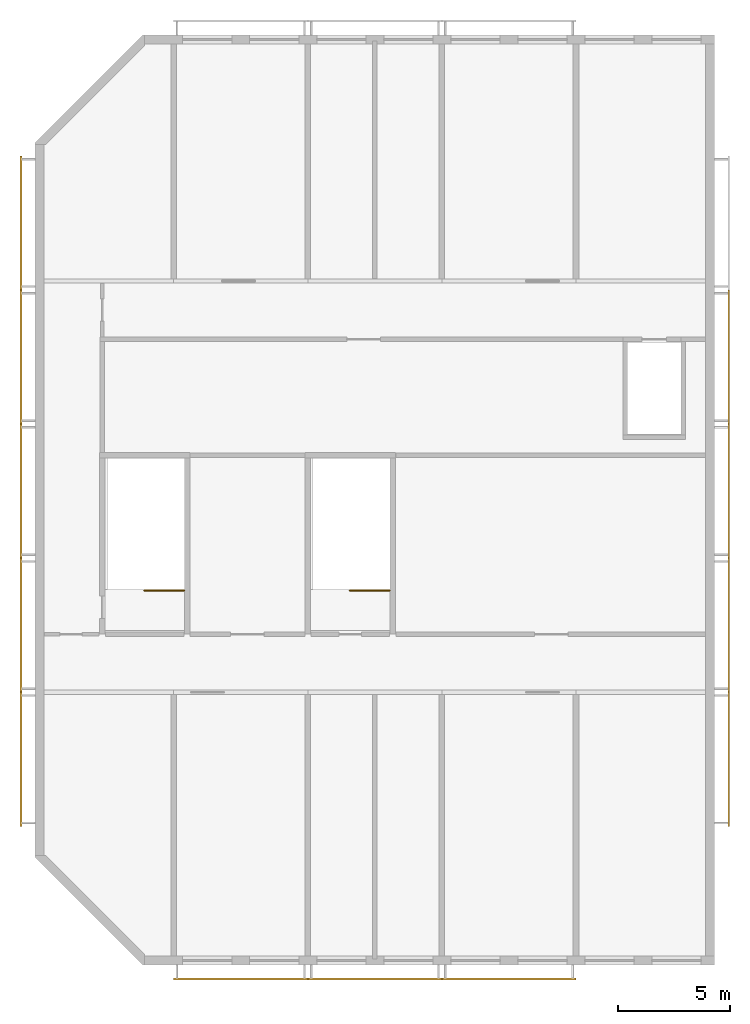
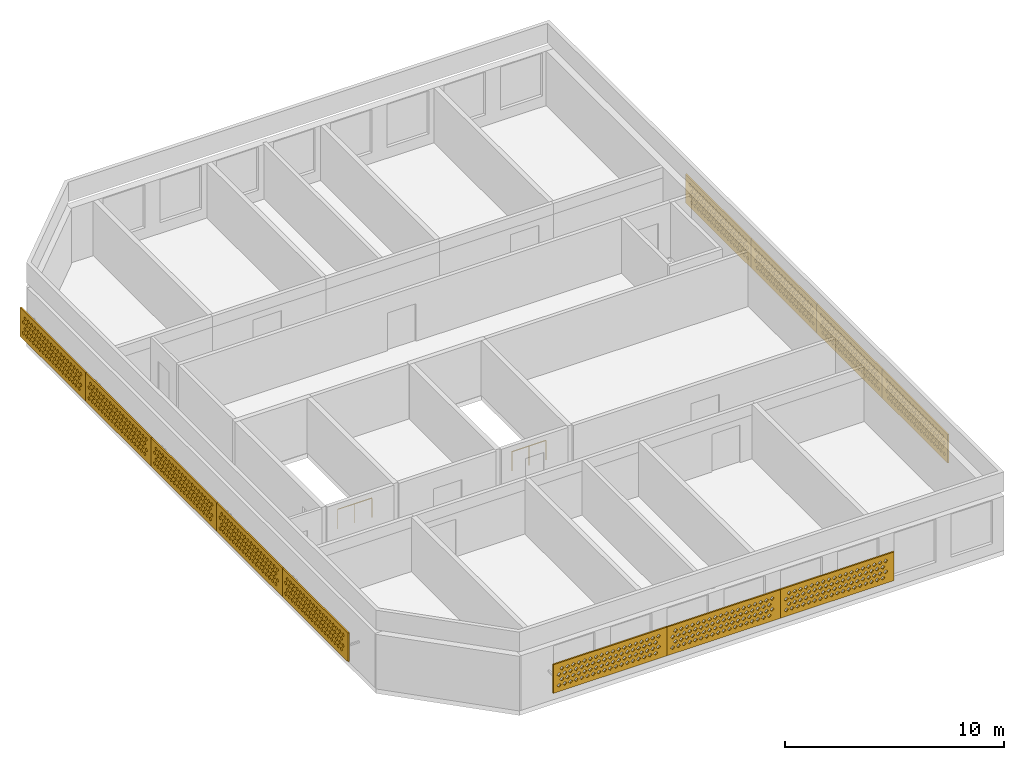
# One storey, part 4 of 7: 12 coverings, 2 railings.
"""IFC4 building model written with IfcOpenShell, lengths in metres."""

from ifc_helpers import new_model, si_unit, direction, frame, origin, origin_2d, place, context, subcontext, project, spatial, polyline, circle, outline, extrude, source, transform, mapped, material, material_profile, profile_set, type_object, element, save


model = new_model("IFC4")

# Units and contexts
model_context = context("Model", 3, precision=1e-05, world=origin(), true_north=direction((0.0, 1.0)))
body_context = subcontext(model_context, "Body", "Model", "MODEL_VIEW")
ifc_project = project(units=[si_unit("LENGTHUNIT", "METRE"), si_unit("AREAUNIT", "SQUARE_METRE"), si_unit("VOLUMEUNIT", "CUBIC_METRE"), si_unit("PLANEANGLEUNIT", "RADIAN"), si_unit("MASSUNIT", "GRAM", prefix="KILO")], contexts=[model_context])

# Site, building, storey
site_placement = place(None, origin())
site = spatial("IfcSite", under=ifc_project, at=site_placement, CompositionType="ELEMENT")
building_placement = place(site_placement, origin())
building = spatial("IfcBuilding", under=site, at=building_placement, Name="Poui Terraces", CompositionType="ELEMENT")
storey_placement = place(building_placement, frame((0.0, 0.0, 288.89990234375)))
storey = spatial("IfcBuildingStorey", under=building, at=storey_placement, Name="L80 CROWN", CompositionType="ELEMENT", Elevation=288.89990234375)

# Railings
ifc_material_1 = material(Name="Galvanised steel balustrade", Category="steel")
railing_type = type_object("IfcRailingType", Name="STAIR GUARD 1100", PredefinedType="GUARDRAIL", material=ifc_material_1)
for number, where, name in (
    (1, (33.675048828125, 16.550048828125, 0.0), "L80 CROWN ST-CW top well guard 1"),
    (2, (24.47509765625, 16.550048828125, 0.0), "L80 CROWN ST-W top well guard 1"),
):
    element("IfcRailing", number, at=place(storey_placement, frame(where)), inside=storey, type_object=railing_type, Name=name, PredefinedType="GUARDRAIL", context=body_context, shape_type="SweptSolid", body=[
        extrude(circle(Radius=0.02392578125, at=origin_2d()), frame((0.0, 0.0, 1.076171875), z_axis=(-1.0, 0.0, 0.0), x_axis=(0.0, -1.0, 0.0)), (0.0, 0.0, 1.0), 1.800048828125),
        extrude(circle(Radius=0.02099609375, at=origin_2d()), origin(), (0.0, 0.0, 1.0), 1.052001953125),
        extrude(circle(Radius=0.02099609375, at=origin_2d()), frame((-0.89990234375, 0.0, 0.0)), (0.0, 0.0, 1.0), 1.052001953125),
        extrude(circle(Radius=0.02099609375, at=origin_2d()), frame((-1.800048828125, 0.0, 0.0)), (0.0, 0.0, 1.0), 1.052001953125),
    ])

# Coverings
ifc_material_2 = material(Name="Terracotta screen", Category="masonry")
ifc_material_profile = material_profile(ifc_material_2, outline(polyline([(-3.0, -0.800048828125), (3.0, -0.800048828125), (3.0, 0.800048828125), (-3.0, 0.800048828125), (-3.0, -0.800048828125)]), holes=[polyline([(-2.800048828125, -0.449951171875), (-2.68994140625, -0.56005859375), (-2.580078125, -0.449951171875), (-2.68994140625, -0.340087890625), (-2.800048828125, -0.449951171875)]), polyline([(-2.5, -0.449951171875), (-2.389892578125, -0.56005859375), (-2.280029296875, -0.449951171875), (-2.389892578125, -0.340087890625), (-2.5, -0.449951171875)]), polyline([(-2.199951171875, -0.449951171875), (-2.090087890625, -0.56005859375), (-1.97998046875, -0.449951171875), (-2.090087890625, -0.340087890625), (-2.199951171875, -0.449951171875)]), polyline([(-1.89990234375, -0.449951171875), (-1.7900390625, -0.56005859375), (-1.679931640625, -0.449951171875), (-1.7900390625, -0.340087890625), (-1.89990234375, -0.449951171875)]), polyline([(-1.60009765625, -0.449951171875), (-1.489990234375, -0.56005859375), (-1.3798828125, -0.449951171875), (-1.489990234375, -0.340087890625), (-1.60009765625, -0.449951171875)]), polyline([(-1.300048828125, -0.449951171875), (-1.18994140625, -0.56005859375), (-1.080078125, -0.449951171875), (-1.18994140625, -0.340087890625), (-1.300048828125, -0.449951171875)]), polyline([(-1.0, -0.449951171875), (-0.889892578125, -0.56005859375), (-0.780029296875, -0.449951171875), (-0.889892578125, -0.340087890625), (-1.0, -0.449951171875)]), polyline([(-0.699951171875, -0.449951171875), (-0.590087890625, -0.56005859375), (-0.47998046875, -0.449951171875), (-0.590087890625, -0.340087890625), (-0.699951171875, -0.449951171875)]), polyline([(-0.39990234375, -0.449951171875), (-0.2900390625, -0.56005859375), (-0.179931640625, -0.449951171875), (-0.2900390625, -0.340087890625), (-0.39990234375, -0.449951171875)]), polyline([(-0.10009765625, -0.449951171875), (0.010009765625, -0.56005859375), (0.1201171875, -0.449951171875), (0.010009765625, -0.340087890625), (-0.10009765625, -0.449951171875)]), polyline([(0.199951171875, -0.449951171875), (0.31005859375, -0.56005859375), (0.419921875, -0.449951171875), (0.31005859375, -0.340087890625), (0.199951171875, -0.449951171875)]), polyline([(0.5, -0.449951171875), (0.610107421875, -0.56005859375), (0.719970703125, -0.449951171875), (0.610107421875, -0.340087890625), (0.5, -0.449951171875)]), polyline([(0.800048828125, -0.449951171875), (0.909912109375, -0.56005859375), (1.02001953125, -0.449951171875), (0.909912109375, -0.340087890625), (0.800048828125, -0.449951171875)]), polyline([(1.10009765625, -0.449951171875), (1.2099609375, -0.56005859375), (1.320068359375, -0.449951171875), (1.2099609375, -0.340087890625), (1.10009765625, -0.449951171875)]), polyline([(1.39990234375, -0.449951171875), (1.510009765625, -0.56005859375), (1.6201171875, -0.449951171875), (1.510009765625, -0.340087890625), (1.39990234375, -0.449951171875)]), polyline([(1.699951171875, -0.449951171875), (1.81005859375, -0.56005859375), (1.919921875, -0.449951171875), (1.81005859375, -0.340087890625), (1.699951171875, -0.449951171875)]), polyline([(2.0, -0.449951171875), (2.110107421875, -0.56005859375), (2.219970703125, -0.449951171875), (2.110107421875, -0.340087890625), (2.0, -0.449951171875)]), polyline([(2.300048828125, -0.449951171875), (2.409912109375, -0.56005859375), (2.52001953125, -0.449951171875), (2.409912109375, -0.340087890625), (2.300048828125, -0.449951171875)]), polyline([(-2.64990234375, -0.14990234375), (-2.5400390625, -0.260009765625), (-2.429931640625, -0.14990234375), (-2.5400390625, -0.0400390625), (-2.64990234375, -0.14990234375)]), polyline([(-2.35009765625, -0.14990234375), (-2.239990234375, -0.260009765625), (-2.1298828125, -0.14990234375), (-2.239990234375, -0.0400390625), (-2.35009765625, -0.14990234375)]), polyline([(-2.050048828125, -0.14990234375), (-1.93994140625, -0.260009765625), (-1.830078125, -0.14990234375), (-1.93994140625, -0.0400390625), (-2.050048828125, -0.14990234375)]), polyline([(-1.75, -0.14990234375), (-1.639892578125, -0.260009765625), (-1.530029296875, -0.14990234375), (-1.639892578125, -0.0400390625), (-1.75, -0.14990234375)]), polyline([(-1.449951171875, -0.14990234375), (-1.340087890625, -0.260009765625), (-1.22998046875, -0.14990234375), (-1.340087890625, -0.0400390625), (-1.449951171875, -0.14990234375)]), polyline([(-1.14990234375, -0.14990234375), (-1.0400390625, -0.260009765625), (-0.929931640625, -0.14990234375), (-1.0400390625, -0.0400390625), (-1.14990234375, -0.14990234375)]), polyline([(-0.85009765625, -0.14990234375), (-0.739990234375, -0.260009765625), (-0.6298828125, -0.14990234375), (-0.739990234375, -0.0400390625), (-0.85009765625, -0.14990234375)]), polyline([(-0.550048828125, -0.14990234375), (-0.43994140625, -0.260009765625), (-0.330078125, -0.14990234375), (-0.43994140625, -0.0400390625), (-0.550048828125, -0.14990234375)]), polyline([(-0.25, -0.14990234375), (-0.139892578125, -0.260009765625), (-0.030029296875, -0.14990234375), (-0.139892578125, -0.0400390625), (-0.25, -0.14990234375)]), polyline([(0.050048828125, -0.14990234375), (0.159912109375, -0.260009765625), (0.27001953125, -0.14990234375), (0.159912109375, -0.0400390625), (0.050048828125, -0.14990234375)]), polyline([(0.35009765625, -0.14990234375), (0.4599609375, -0.260009765625), (0.570068359375, -0.14990234375), (0.4599609375, -0.0400390625), (0.35009765625, -0.14990234375)]), polyline([(0.64990234375, -0.14990234375), (0.760009765625, -0.260009765625), (0.8701171875, -0.14990234375), (0.760009765625, -0.0400390625), (0.64990234375, -0.14990234375)]), polyline([(0.949951171875, -0.14990234375), (1.06005859375, -0.260009765625), (1.169921875, -0.14990234375), (1.06005859375, -0.0400390625), (0.949951171875, -0.14990234375)]), polyline([(1.25, -0.14990234375), (1.360107421875, -0.260009765625), (1.469970703125, -0.14990234375), (1.360107421875, -0.0400390625), (1.25, -0.14990234375)]), polyline([(1.550048828125, -0.14990234375), (1.659912109375, -0.260009765625), (1.77001953125, -0.14990234375), (1.659912109375, -0.0400390625), (1.550048828125, -0.14990234375)]), polyline([(1.85009765625, -0.14990234375), (1.9599609375, -0.260009765625), (2.070068359375, -0.14990234375), (1.9599609375, -0.0400390625), (1.85009765625, -0.14990234375)]), polyline([(2.14990234375, -0.14990234375), (2.260009765625, -0.260009765625), (2.3701171875, -0.14990234375), (2.260009765625, -0.0400390625), (2.14990234375, -0.14990234375)]), polyline([(2.449951171875, -0.14990234375), (2.56005859375, -0.260009765625), (2.669921875, -0.14990234375), (2.56005859375, -0.0400390625), (2.449951171875, -0.14990234375)]), polyline([(-2.800048828125, 0.14990234375), (-2.68994140625, 0.0400390625), (-2.580078125, 0.14990234375), (-2.68994140625, 0.260009765625), (-2.800048828125, 0.14990234375)]), polyline([(-2.5, 0.14990234375), (-2.389892578125, 0.0400390625), (-2.280029296875, 0.14990234375), (-2.389892578125, 0.260009765625), (-2.5, 0.14990234375)]), polyline([(-2.199951171875, 0.14990234375), (-2.090087890625, 0.0400390625), (-1.97998046875, 0.14990234375), (-2.090087890625, 0.260009765625), (-2.199951171875, 0.14990234375)]), polyline([(-1.89990234375, 0.14990234375), (-1.7900390625, 0.0400390625), (-1.679931640625, 0.14990234375), (-1.7900390625, 0.260009765625), (-1.89990234375, 0.14990234375)]), polyline([(-1.60009765625, 0.14990234375), (-1.489990234375, 0.0400390625), (-1.3798828125, 0.14990234375), (-1.489990234375, 0.260009765625), (-1.60009765625, 0.14990234375)]), polyline([(-1.300048828125, 0.14990234375), (-1.18994140625, 0.0400390625), (-1.080078125, 0.14990234375), (-1.18994140625, 0.260009765625), (-1.300048828125, 0.14990234375)]), polyline([(-1.0, 0.14990234375), (-0.889892578125, 0.0400390625), (-0.780029296875, 0.14990234375), (-0.889892578125, 0.260009765625), (-1.0, 0.14990234375)]), polyline([(-0.699951171875, 0.14990234375), (-0.590087890625, 0.0400390625), (-0.47998046875, 0.14990234375), (-0.590087890625, 0.260009765625), (-0.699951171875, 0.14990234375)]), polyline([(-0.39990234375, 0.14990234375), (-0.2900390625, 0.0400390625), (-0.179931640625, 0.14990234375), (-0.2900390625, 0.260009765625), (-0.39990234375, 0.14990234375)]), polyline([(-0.10009765625, 0.14990234375), (0.010009765625, 0.0400390625), (0.1201171875, 0.14990234375), (0.010009765625, 0.260009765625), (-0.10009765625, 0.14990234375)]), polyline([(0.199951171875, 0.14990234375), (0.31005859375, 0.0400390625), (0.419921875, 0.14990234375), (0.31005859375, 0.260009765625), (0.199951171875, 0.14990234375)]), polyline([(0.5, 0.14990234375), (0.610107421875, 0.0400390625), (0.719970703125, 0.14990234375), (0.610107421875, 0.260009765625), (0.5, 0.14990234375)]), polyline([(0.800048828125, 0.14990234375), (0.909912109375, 0.0400390625), (1.02001953125, 0.14990234375), (0.909912109375, 0.260009765625), (0.800048828125, 0.14990234375)]), polyline([(1.10009765625, 0.14990234375), (1.2099609375, 0.0400390625), (1.320068359375, 0.14990234375), (1.2099609375, 0.260009765625), (1.10009765625, 0.14990234375)]), polyline([(1.39990234375, 0.14990234375), (1.510009765625, 0.0400390625), (1.6201171875, 0.14990234375), (1.510009765625, 0.260009765625), (1.39990234375, 0.14990234375)]), polyline([(1.699951171875, 0.14990234375), (1.81005859375, 0.0400390625), (1.919921875, 0.14990234375), (1.81005859375, 0.260009765625), (1.699951171875, 0.14990234375)]), polyline([(2.0, 0.14990234375), (2.110107421875, 0.0400390625), (2.219970703125, 0.14990234375), (2.110107421875, 0.260009765625), (2.0, 0.14990234375)]), polyline([(2.300048828125, 0.14990234375), (2.409912109375, 0.0400390625), (2.52001953125, 0.14990234375), (2.409912109375, 0.260009765625), (2.300048828125, 0.14990234375)]), polyline([(-2.64990234375, 0.449951171875), (-2.5400390625, 0.340087890625), (-2.429931640625, 0.449951171875), (-2.5400390625, 0.56005859375), (-2.64990234375, 0.449951171875)]), polyline([(-2.35009765625, 0.449951171875), (-2.239990234375, 0.340087890625), (-2.1298828125, 0.449951171875), (-2.239990234375, 0.56005859375), (-2.35009765625, 0.449951171875)]), polyline([(-2.050048828125, 0.449951171875), (-1.93994140625, 0.340087890625), (-1.830078125, 0.449951171875), (-1.93994140625, 0.56005859375), (-2.050048828125, 0.449951171875)]), polyline([(-1.75, 0.449951171875), (-1.639892578125, 0.340087890625), (-1.530029296875, 0.449951171875), (-1.639892578125, 0.56005859375), (-1.75, 0.449951171875)]), polyline([(-1.449951171875, 0.449951171875), (-1.340087890625, 0.340087890625), (-1.22998046875, 0.449951171875), (-1.340087890625, 0.56005859375), (-1.449951171875, 0.449951171875)]), polyline([(-1.14990234375, 0.449951171875), (-1.0400390625, 0.340087890625), (-0.929931640625, 0.449951171875), (-1.0400390625, 0.56005859375), (-1.14990234375, 0.449951171875)]), polyline([(-0.85009765625, 0.449951171875), (-0.739990234375, 0.340087890625), (-0.6298828125, 0.449951171875), (-0.739990234375, 0.56005859375), (-0.85009765625, 0.449951171875)]), polyline([(-0.550048828125, 0.449951171875), (-0.43994140625, 0.340087890625), (-0.330078125, 0.449951171875), (-0.43994140625, 0.56005859375), (-0.550048828125, 0.449951171875)]), polyline([(-0.25, 0.449951171875), (-0.139892578125, 0.340087890625), (-0.030029296875, 0.449951171875), (-0.139892578125, 0.56005859375), (-0.25, 0.449951171875)]), polyline([(0.050048828125, 0.449951171875), (0.159912109375, 0.340087890625), (0.27001953125, 0.449951171875), (0.159912109375, 0.56005859375), (0.050048828125, 0.449951171875)]), polyline([(0.35009765625, 0.449951171875), (0.4599609375, 0.340087890625), (0.570068359375, 0.449951171875), (0.4599609375, 0.56005859375), (0.35009765625, 0.449951171875)]), polyline([(0.64990234375, 0.449951171875), (0.760009765625, 0.340087890625), (0.8701171875, 0.449951171875), (0.760009765625, 0.56005859375), (0.64990234375, 0.449951171875)]), polyline([(0.949951171875, 0.449951171875), (1.06005859375, 0.340087890625), (1.169921875, 0.449951171875), (1.06005859375, 0.56005859375), (0.949951171875, 0.449951171875)]), polyline([(1.25, 0.449951171875), (1.360107421875, 0.340087890625), (1.469970703125, 0.449951171875), (1.360107421875, 0.56005859375), (1.25, 0.449951171875)]), polyline([(1.550048828125, 0.449951171875), (1.659912109375, 0.340087890625), (1.77001953125, 0.449951171875), (1.659912109375, 0.56005859375), (1.550048828125, 0.449951171875)]), polyline([(1.85009765625, 0.449951171875), (1.9599609375, 0.340087890625), (2.070068359375, 0.449951171875), (1.9599609375, 0.56005859375), (1.85009765625, 0.449951171875)]), polyline([(2.14990234375, 0.449951171875), (2.260009765625, 0.340087890625), (2.3701171875, 0.449951171875), (2.260009765625, 0.56005859375), (2.14990234375, 0.449951171875)]), polyline([(2.449951171875, 0.449951171875), (2.56005859375, 0.340087890625), (2.669921875, 0.449951171875), (2.56005859375, 0.56005859375), (2.449951171875, 0.449951171875)])]), Name="TERRACOTTA SOLAR SCREEN 6000X1600")
ifc_profile_set = profile_set([ifc_material_profile], Name="Terracotta screen")
covering_type = type_object("IfcCoveringType", Name="TERRACOTTA SOLAR SCREEN 6000X1600", PredefinedType="CLADDING", material=ifc_profile_set)
shared_shape = source(origin(), body_context, "Body", "SweptSolid", [
    extrude(outline(polyline([(-3.0, -0.800048828125), (3.0, -0.800048828125), (3.0, 0.800048828125), (-3.0, 0.800048828125), (-3.0, -0.800048828125)]), holes=[polyline([(-2.800048828125, -0.449951171875), (-2.68994140625, -0.56005859375), (-2.580078125, -0.449951171875), (-2.68994140625, -0.340087890625), (-2.800048828125, -0.449951171875)]), polyline([(-2.5, -0.449951171875), (-2.389892578125, -0.56005859375), (-2.280029296875, -0.449951171875), (-2.389892578125, -0.340087890625), (-2.5, -0.449951171875)]), polyline([(-2.199951171875, -0.449951171875), (-2.090087890625, -0.56005859375), (-1.97998046875, -0.449951171875), (-2.090087890625, -0.340087890625), (-2.199951171875, -0.449951171875)]), polyline([(-1.89990234375, -0.449951171875), (-1.7900390625, -0.56005859375), (-1.679931640625, -0.449951171875), (-1.7900390625, -0.340087890625), (-1.89990234375, -0.449951171875)]), polyline([(-1.60009765625, -0.449951171875), (-1.489990234375, -0.56005859375), (-1.3798828125, -0.449951171875), (-1.489990234375, -0.340087890625), (-1.60009765625, -0.449951171875)]), polyline([(-1.300048828125, -0.449951171875), (-1.18994140625, -0.56005859375), (-1.080078125, -0.449951171875), (-1.18994140625, -0.340087890625), (-1.300048828125, -0.449951171875)]), polyline([(-1.0, -0.449951171875), (-0.889892578125, -0.56005859375), (-0.780029296875, -0.449951171875), (-0.889892578125, -0.340087890625), (-1.0, -0.449951171875)]), polyline([(-0.699951171875, -0.449951171875), (-0.590087890625, -0.56005859375), (-0.47998046875, -0.449951171875), (-0.590087890625, -0.340087890625), (-0.699951171875, -0.449951171875)]), polyline([(-0.39990234375, -0.449951171875), (-0.2900390625, -0.56005859375), (-0.179931640625, -0.449951171875), (-0.2900390625, -0.340087890625), (-0.39990234375, -0.449951171875)]), polyline([(-0.10009765625, -0.449951171875), (0.010009765625, -0.56005859375), (0.1201171875, -0.449951171875), (0.010009765625, -0.340087890625), (-0.10009765625, -0.449951171875)]), polyline([(0.199951171875, -0.449951171875), (0.31005859375, -0.56005859375), (0.419921875, -0.449951171875), (0.31005859375, -0.340087890625), (0.199951171875, -0.449951171875)]), polyline([(0.5, -0.449951171875), (0.610107421875, -0.56005859375), (0.719970703125, -0.449951171875), (0.610107421875, -0.340087890625), (0.5, -0.449951171875)]), polyline([(0.800048828125, -0.449951171875), (0.909912109375, -0.56005859375), (1.02001953125, -0.449951171875), (0.909912109375, -0.340087890625), (0.800048828125, -0.449951171875)]), polyline([(1.10009765625, -0.449951171875), (1.2099609375, -0.56005859375), (1.320068359375, -0.449951171875), (1.2099609375, -0.340087890625), (1.10009765625, -0.449951171875)]), polyline([(1.39990234375, -0.449951171875), (1.510009765625, -0.56005859375), (1.6201171875, -0.449951171875), (1.510009765625, -0.340087890625), (1.39990234375, -0.449951171875)]), polyline([(1.699951171875, -0.449951171875), (1.81005859375, -0.56005859375), (1.919921875, -0.449951171875), (1.81005859375, -0.340087890625), (1.699951171875, -0.449951171875)]), polyline([(2.0, -0.449951171875), (2.110107421875, -0.56005859375), (2.219970703125, -0.449951171875), (2.110107421875, -0.340087890625), (2.0, -0.449951171875)]), polyline([(2.300048828125, -0.449951171875), (2.409912109375, -0.56005859375), (2.52001953125, -0.449951171875), (2.409912109375, -0.340087890625), (2.300048828125, -0.449951171875)]), polyline([(-2.64990234375, -0.14990234375), (-2.5400390625, -0.260009765625), (-2.429931640625, -0.14990234375), (-2.5400390625, -0.0400390625), (-2.64990234375, -0.14990234375)]), polyline([(-2.35009765625, -0.14990234375), (-2.239990234375, -0.260009765625), (-2.1298828125, -0.14990234375), (-2.239990234375, -0.0400390625), (-2.35009765625, -0.14990234375)]), polyline([(-2.050048828125, -0.14990234375), (-1.93994140625, -0.260009765625), (-1.830078125, -0.14990234375), (-1.93994140625, -0.0400390625), (-2.050048828125, -0.14990234375)]), polyline([(-1.75, -0.14990234375), (-1.639892578125, -0.260009765625), (-1.530029296875, -0.14990234375), (-1.639892578125, -0.0400390625), (-1.75, -0.14990234375)]), polyline([(-1.449951171875, -0.14990234375), (-1.340087890625, -0.260009765625), (-1.22998046875, -0.14990234375), (-1.340087890625, -0.0400390625), (-1.449951171875, -0.14990234375)]), polyline([(-1.14990234375, -0.14990234375), (-1.0400390625, -0.260009765625), (-0.929931640625, -0.14990234375), (-1.0400390625, -0.0400390625), (-1.14990234375, -0.14990234375)]), polyline([(-0.85009765625, -0.14990234375), (-0.739990234375, -0.260009765625), (-0.6298828125, -0.14990234375), (-0.739990234375, -0.0400390625), (-0.85009765625, -0.14990234375)]), polyline([(-0.550048828125, -0.14990234375), (-0.43994140625, -0.260009765625), (-0.330078125, -0.14990234375), (-0.43994140625, -0.0400390625), (-0.550048828125, -0.14990234375)]), polyline([(-0.25, -0.14990234375), (-0.139892578125, -0.260009765625), (-0.030029296875, -0.14990234375), (-0.139892578125, -0.0400390625), (-0.25, -0.14990234375)]), polyline([(0.050048828125, -0.14990234375), (0.159912109375, -0.260009765625), (0.27001953125, -0.14990234375), (0.159912109375, -0.0400390625), (0.050048828125, -0.14990234375)]), polyline([(0.35009765625, -0.14990234375), (0.4599609375, -0.260009765625), (0.570068359375, -0.14990234375), (0.4599609375, -0.0400390625), (0.35009765625, -0.14990234375)]), polyline([(0.64990234375, -0.14990234375), (0.760009765625, -0.260009765625), (0.8701171875, -0.14990234375), (0.760009765625, -0.0400390625), (0.64990234375, -0.14990234375)]), polyline([(0.949951171875, -0.14990234375), (1.06005859375, -0.260009765625), (1.169921875, -0.14990234375), (1.06005859375, -0.0400390625), (0.949951171875, -0.14990234375)]), polyline([(1.25, -0.14990234375), (1.360107421875, -0.260009765625), (1.469970703125, -0.14990234375), (1.360107421875, -0.0400390625), (1.25, -0.14990234375)]), polyline([(1.550048828125, -0.14990234375), (1.659912109375, -0.260009765625), (1.77001953125, -0.14990234375), (1.659912109375, -0.0400390625), (1.550048828125, -0.14990234375)]), polyline([(1.85009765625, -0.14990234375), (1.9599609375, -0.260009765625), (2.070068359375, -0.14990234375), (1.9599609375, -0.0400390625), (1.85009765625, -0.14990234375)]), polyline([(2.14990234375, -0.14990234375), (2.260009765625, -0.260009765625), (2.3701171875, -0.14990234375), (2.260009765625, -0.0400390625), (2.14990234375, -0.14990234375)]), polyline([(2.449951171875, -0.14990234375), (2.56005859375, -0.260009765625), (2.669921875, -0.14990234375), (2.56005859375, -0.0400390625), (2.449951171875, -0.14990234375)]), polyline([(-2.800048828125, 0.14990234375), (-2.68994140625, 0.0400390625), (-2.580078125, 0.14990234375), (-2.68994140625, 0.260009765625), (-2.800048828125, 0.14990234375)]), polyline([(-2.5, 0.14990234375), (-2.389892578125, 0.0400390625), (-2.280029296875, 0.14990234375), (-2.389892578125, 0.260009765625), (-2.5, 0.14990234375)]), polyline([(-2.199951171875, 0.14990234375), (-2.090087890625, 0.0400390625), (-1.97998046875, 0.14990234375), (-2.090087890625, 0.260009765625), (-2.199951171875, 0.14990234375)]), polyline([(-1.89990234375, 0.14990234375), (-1.7900390625, 0.0400390625), (-1.679931640625, 0.14990234375), (-1.7900390625, 0.260009765625), (-1.89990234375, 0.14990234375)]), polyline([(-1.60009765625, 0.14990234375), (-1.489990234375, 0.0400390625), (-1.3798828125, 0.14990234375), (-1.489990234375, 0.260009765625), (-1.60009765625, 0.14990234375)]), polyline([(-1.300048828125, 0.14990234375), (-1.18994140625, 0.0400390625), (-1.080078125, 0.14990234375), (-1.18994140625, 0.260009765625), (-1.300048828125, 0.14990234375)]), polyline([(-1.0, 0.14990234375), (-0.889892578125, 0.0400390625), (-0.780029296875, 0.14990234375), (-0.889892578125, 0.260009765625), (-1.0, 0.14990234375)]), polyline([(-0.699951171875, 0.14990234375), (-0.590087890625, 0.0400390625), (-0.47998046875, 0.14990234375), (-0.590087890625, 0.260009765625), (-0.699951171875, 0.14990234375)]), polyline([(-0.39990234375, 0.14990234375), (-0.2900390625, 0.0400390625), (-0.179931640625, 0.14990234375), (-0.2900390625, 0.260009765625), (-0.39990234375, 0.14990234375)]), polyline([(-0.10009765625, 0.14990234375), (0.010009765625, 0.0400390625), (0.1201171875, 0.14990234375), (0.010009765625, 0.260009765625), (-0.10009765625, 0.14990234375)]), polyline([(0.199951171875, 0.14990234375), (0.31005859375, 0.0400390625), (0.419921875, 0.14990234375), (0.31005859375, 0.260009765625), (0.199951171875, 0.14990234375)]), polyline([(0.5, 0.14990234375), (0.610107421875, 0.0400390625), (0.719970703125, 0.14990234375), (0.610107421875, 0.260009765625), (0.5, 0.14990234375)]), polyline([(0.800048828125, 0.14990234375), (0.909912109375, 0.0400390625), (1.02001953125, 0.14990234375), (0.909912109375, 0.260009765625), (0.800048828125, 0.14990234375)]), polyline([(1.10009765625, 0.14990234375), (1.2099609375, 0.0400390625), (1.320068359375, 0.14990234375), (1.2099609375, 0.260009765625), (1.10009765625, 0.14990234375)]), polyline([(1.39990234375, 0.14990234375), (1.510009765625, 0.0400390625), (1.6201171875, 0.14990234375), (1.510009765625, 0.260009765625), (1.39990234375, 0.14990234375)]), polyline([(1.699951171875, 0.14990234375), (1.81005859375, 0.0400390625), (1.919921875, 0.14990234375), (1.81005859375, 0.260009765625), (1.699951171875, 0.14990234375)]), polyline([(2.0, 0.14990234375), (2.110107421875, 0.0400390625), (2.219970703125, 0.14990234375), (2.110107421875, 0.260009765625), (2.0, 0.14990234375)]), polyline([(2.300048828125, 0.14990234375), (2.409912109375, 0.0400390625), (2.52001953125, 0.14990234375), (2.409912109375, 0.260009765625), (2.300048828125, 0.14990234375)]), polyline([(-2.64990234375, 0.449951171875), (-2.5400390625, 0.340087890625), (-2.429931640625, 0.449951171875), (-2.5400390625, 0.56005859375), (-2.64990234375, 0.449951171875)]), polyline([(-2.35009765625, 0.449951171875), (-2.239990234375, 0.340087890625), (-2.1298828125, 0.449951171875), (-2.239990234375, 0.56005859375), (-2.35009765625, 0.449951171875)]), polyline([(-2.050048828125, 0.449951171875), (-1.93994140625, 0.340087890625), (-1.830078125, 0.449951171875), (-1.93994140625, 0.56005859375), (-2.050048828125, 0.449951171875)]), polyline([(-1.75, 0.449951171875), (-1.639892578125, 0.340087890625), (-1.530029296875, 0.449951171875), (-1.639892578125, 0.56005859375), (-1.75, 0.449951171875)]), polyline([(-1.449951171875, 0.449951171875), (-1.340087890625, 0.340087890625), (-1.22998046875, 0.449951171875), (-1.340087890625, 0.56005859375), (-1.449951171875, 0.449951171875)]), polyline([(-1.14990234375, 0.449951171875), (-1.0400390625, 0.340087890625), (-0.929931640625, 0.449951171875), (-1.0400390625, 0.56005859375), (-1.14990234375, 0.449951171875)]), polyline([(-0.85009765625, 0.449951171875), (-0.739990234375, 0.340087890625), (-0.6298828125, 0.449951171875), (-0.739990234375, 0.56005859375), (-0.85009765625, 0.449951171875)]), polyline([(-0.550048828125, 0.449951171875), (-0.43994140625, 0.340087890625), (-0.330078125, 0.449951171875), (-0.43994140625, 0.56005859375), (-0.550048828125, 0.449951171875)]), polyline([(-0.25, 0.449951171875), (-0.139892578125, 0.340087890625), (-0.030029296875, 0.449951171875), (-0.139892578125, 0.56005859375), (-0.25, 0.449951171875)]), polyline([(0.050048828125, 0.449951171875), (0.159912109375, 0.340087890625), (0.27001953125, 0.449951171875), (0.159912109375, 0.56005859375), (0.050048828125, 0.449951171875)]), polyline([(0.35009765625, 0.449951171875), (0.4599609375, 0.340087890625), (0.570068359375, 0.449951171875), (0.4599609375, 0.56005859375), (0.35009765625, 0.449951171875)]), polyline([(0.64990234375, 0.449951171875), (0.760009765625, 0.340087890625), (0.8701171875, 0.449951171875), (0.760009765625, 0.56005859375), (0.64990234375, 0.449951171875)]), polyline([(0.949951171875, 0.449951171875), (1.06005859375, 0.340087890625), (1.169921875, 0.449951171875), (1.06005859375, 0.56005859375), (0.949951171875, 0.449951171875)]), polyline([(1.25, 0.449951171875), (1.360107421875, 0.340087890625), (1.469970703125, 0.449951171875), (1.360107421875, 0.56005859375), (1.25, 0.449951171875)]), polyline([(1.550048828125, 0.449951171875), (1.659912109375, 0.340087890625), (1.77001953125, 0.449951171875), (1.659912109375, 0.56005859375), (1.550048828125, 0.449951171875)]), polyline([(1.85009765625, 0.449951171875), (1.9599609375, 0.340087890625), (2.070068359375, 0.449951171875), (1.9599609375, 0.56005859375), (1.85009765625, 0.449951171875)]), polyline([(2.14990234375, 0.449951171875), (2.260009765625, 0.340087890625), (2.3701171875, 0.449951171875), (2.260009765625, 0.56005859375), (2.14990234375, 0.449951171875)]), polyline([(2.449951171875, 0.449951171875), (2.56005859375, 0.340087890625), (2.669921875, 0.449951171875), (2.56005859375, 0.56005859375), (2.449951171875, 0.449951171875)])]), origin(), (0.0, 0.0, 1.0), 0.079833984375),
])
for number, where, z_axis, x_axis, name in (
    (3, (27.0, -0.800048828125, 1.7001953125), (0.0, -1.0, 0.0), (1.0, 0.0, 0.0), "SOLAR SCREEN"),
    (4, (33.0, -0.800048828125, 1.7001953125), (0.0, -1.0, 0.0), (1.0, 0.0, 0.0), "SOLAR SCREEN"),
    (5, (39.0, -0.800048828125, 1.7001953125), (0.0, -1.0, 0.0), (1.0, 0.0, 0.0), "SOLAR SCREEN"),
    (6, (48.800048828125, 9.0, 1.7001953125), (1.0, 0.0, 0.0), (0.0, 1.0, 0.0), "SOLAR SCREEN"),
    (7, (48.800048828125, 15.0, 1.7001953125), (1.0, 0.0, 0.0), (0.0, 1.0, 0.0), "SOLAR SCREEN"),
    (8, (48.800048828125, 21.0, 1.7001953125), (1.0, 0.0, 0.0), (0.0, 1.0, 0.0), "SOLAR SCREEN"),
    (9, (48.800048828125, 27.0, 1.7001953125), (1.0, 0.0, 0.0), (0.0, 1.0, 0.0), "SOLAR SCREEN"),
    (10, (17.199951171875, 9.0, 1.7001953125), (-1.0, 0.0, 0.0), (0.0, -1.0, 0.0), "SOLAR SCREEN"),
    (11, (17.199951171875, 15.0, 1.7001953125), (-1.0, 0.0, 0.0), (0.0, -1.0, 0.0), "SOLAR SCREEN"),
    (12, (17.199951171875, 21.0, 1.7001953125), (-1.0, 0.0, 0.0), (0.0, -1.0, 0.0), "SOLAR SCREEN"),
    (13, (17.199951171875, 27.0, 1.7001953125), (-1.0, 0.0, 0.0), (0.0, -1.0, 0.0), "SOLAR SCREEN"),
    (14, (17.199951171875, 33.0, 1.7001953125), (-1.0, 0.0, 0.0), (0.0, -1.0, 0.0), "SOLAR SCREEN"),
):
    element("IfcCovering", number, at=place(storey_placement, frame(where, z_axis=z_axis, x_axis=x_axis)), inside=storey, type_object=covering_type, Name=name, PredefinedType="CLADDING", context=body_context, shape_type="MappedRepresentation", body=[
        mapped(shared_shape, transform((0.0, 0.0, 0.0))),
    ])

save(model, "model.ifc")
